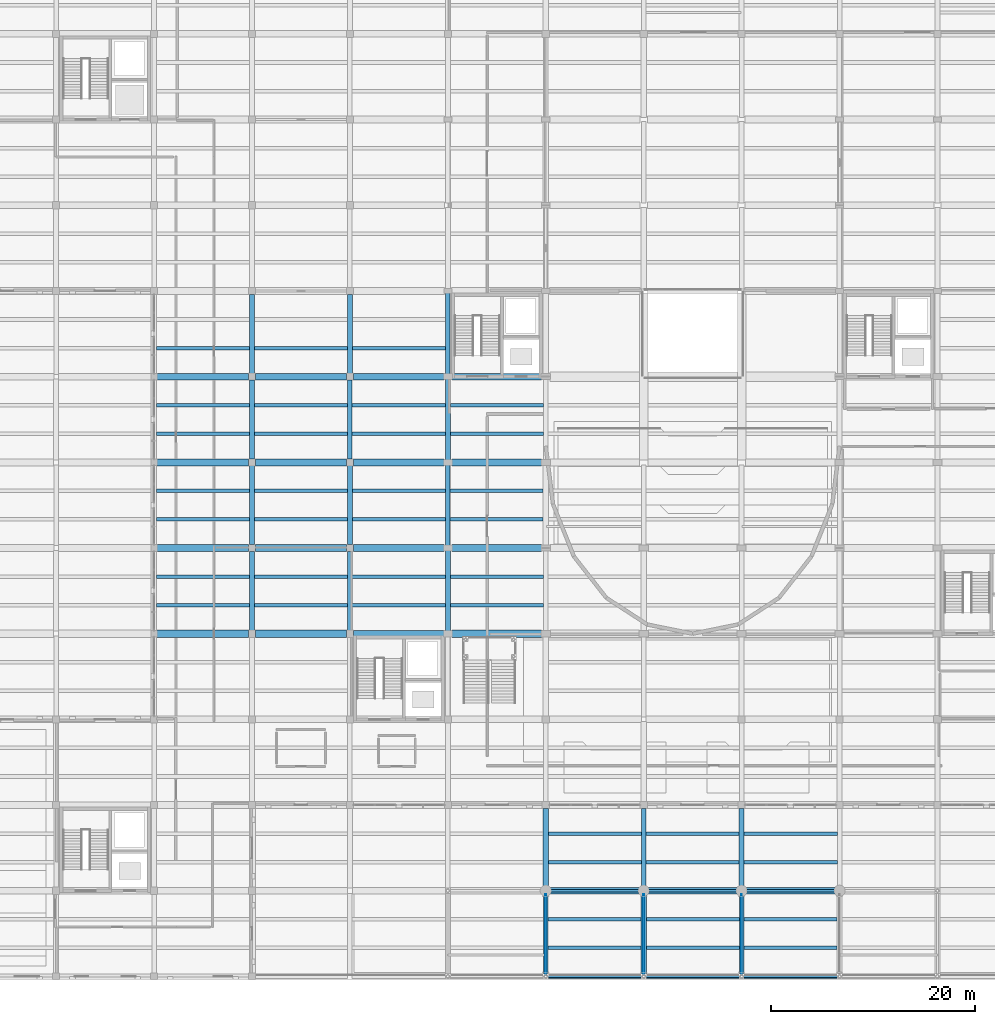
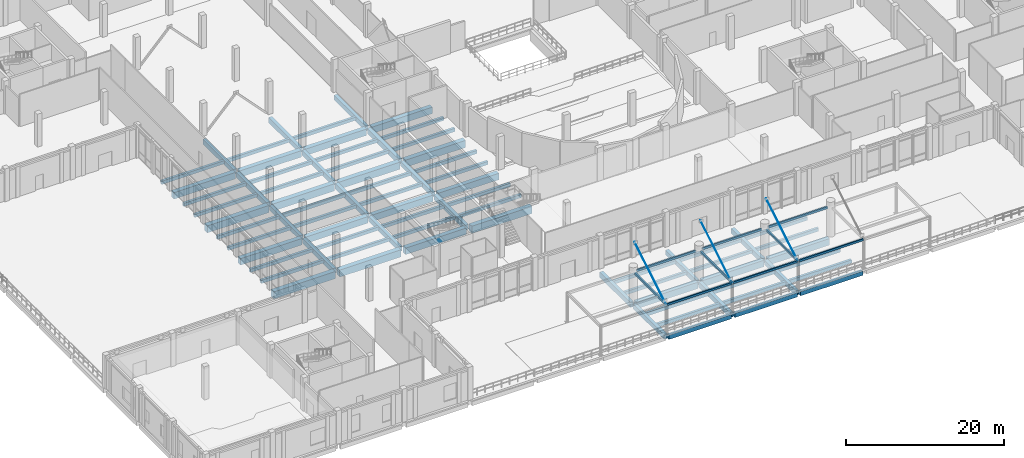
# One storey, part 21 of 71: 88 beams, 3 members.
"""IFC4 building model written with IfcOpenShell, lengths in metres."""

import ifcopenshell
import ifcopenshell.guid

model = None  # the IFC model being written
_history = None  # IfcOwnerHistory: only IFC2X3 demands one
_inside = {}  # id of a spatial element -> (the spatial element, [elements in it])
_under = {}  # id of a project, library or spatial element -> (it, [spatial elements below it])
_declared = {}  # id of a project -> (the project, [libraries it declares])
_typed = {}  # id of a type object -> (the type object, [elements of that type])
_made_of = {}  # id of a material, layer set ... -> (it, [elements and type objects made of it])


def new_model(schema):
    """Start an empty IFC model of exactly this schema.

    Asked for "IFC4X3", IfcOpenShell would pick the latest addendum, in which some entities
    have other attributes; the version numbers below select the first issue.
    IFC2X3 requires an IfcOwnerHistory on every rooted entity: one is made here for all.
    """
    global model, _history
    if schema == "IFC4X3":
        model = ifcopenshell.file(schema_version=(4, 3, 0, 0))
    else:
        model = ifcopenshell.file(schema=schema)
    _inside.clear()
    _under.clear()
    _declared.clear()
    _typed.clear()
    _made_of.clear()
    _history = None
    if model.schema == "IFC2X3":
        org = make("IfcOrganization", Name="unknown")
        user = make(
            "IfcPersonAndOrganization",
            ThePerson=make("IfcPerson", FamilyName="unknown"),
            TheOrganization=org,
        )
        app = make(
            "IfcApplication",
            ApplicationDeveloper=org,
            Version="unknown",
            ApplicationFullName="unknown",
            ApplicationIdentifier="unknown",
        )
        _history = make(
            "IfcOwnerHistory",
            OwningUser=user,
            OwningApplication=app,
            ChangeAction="ADDED",
            CreationDate=0,
        )
    return model


def make(cls, **values):
    """One entity of the class cls with the attributes given. An attribute that is None is left unset."""
    return model.create_entity(
        cls, **{name: value for name, value in values.items() if value is not None}
    )


def rooted(cls, **values):
    """An entity with a GlobalId (a new one), such as an element, a storey or a relation."""
    return make(cls, GlobalId=ifcopenshell.guid.new(), OwnerHistory=_history, **values)


def si_unit(unit_type, name, prefix=None):
    """IfcSIUnit, for example si_unit("LENGTHUNIT", "METRE", prefix="MILLI")."""
    return make("IfcSIUnit", UnitType=unit_type, Prefix=prefix, Name=name)


def assignment(units):
    """IfcUnitAssignment: the units of a project."""
    return None if units is None else make("IfcUnitAssignment", Units=units)


def point(xyz):
    """IfcCartesianPoint."""
    return None if xyz is None else make("IfcCartesianPoint", Coordinates=xyz)


def direction(xyz):
    """IfcDirection."""
    return None if xyz is None else make("IfcDirection", DirectionRatios=xyz)


def frame(location, z_axis=None, x_axis=None):
    """IfcAxis2Placement3D, a coordinate frame: its origin and axes. An axis left out is left unset."""
    return make(
        "IfcAxis2Placement3D",
        Location=point(location),
        Axis=direction(z_axis),
        RefDirection=direction(x_axis),
    )


def frame_2d(location, x_axis=None):
    """IfcAxis2Placement2D, a coordinate frame in the plane: its origin and x axis."""
    return make(
        "IfcAxis2Placement2D", Location=point(location), RefDirection=direction(x_axis)
    )


def origin():
    """The frame at (0, 0, 0) with its axes left unset."""
    return frame((0.0, 0.0, 0.0))


def origin_2d():
    """The frame at (0, 0) in the plane with its x axis left unset."""
    return frame_2d((0.0, 0.0))


def place(relative_to, where):
    """IfcLocalPlacement: puts the frame where relative to a parent placement (None: the world)."""
    return make(
        "IfcLocalPlacement", PlacementRelTo=relative_to, RelativePlacement=where
    )


def context(
    kind, dimensions, precision=None, world=None, true_north=None, identifier=None
):
    """IfcGeometricRepresentationContext, for example the 3D "Model" context."""
    return make(
        "IfcGeometricRepresentationContext",
        ContextIdentifier=identifier,
        ContextType=kind,
        CoordinateSpaceDimension=dimensions,
        Precision=precision,
        WorldCoordinateSystem=world,
        TrueNorth=true_north,
    )


def subcontext(parent, identifier, kind, view, scale=None):
    """IfcGeometricRepresentationSubContext, for example "Body" below "Model"."""
    return make(
        "IfcGeometricRepresentationSubContext",
        ContextIdentifier=identifier,
        ContextType=kind,
        ParentContext=parent,
        TargetScale=scale,
        TargetView=view,
    )


def project(units=None, contexts=None):
    """IfcProject with its units and contexts."""
    return rooted(
        "IfcProject",
        Name="project",
        RepresentationContexts=contexts,
        UnitsInContext=assignment(units),
    )


def spatial(cls, under=None, at=None, **own):
    """A site, building, storey or space (cls), placed at a placement, below another one or the project."""
    s = rooted(cls, ObjectPlacement=at, **own)
    if under is not None:
        _under.setdefault(under.id(), (under, []))[1].append(s)
    return s


def profile(cls, at=None, kind="AREA", **sizes):
    """A parametric profile (cls). Its sizes go by their IFC names, for example OverallWidth=200.0."""
    return make(cls, ProfileType=kind, Position=at, **sizes)


def rectangle(**sizes):
    """IfcRectangleProfileDef."""
    return profile("IfcRectangleProfileDef", **sizes)


def hollow_rectangle(**sizes):
    """IfcRectangleHollowProfileDef."""
    return profile("IfcRectangleHollowProfileDef", **sizes)


def circle(**sizes):
    """IfcCircleProfileDef."""
    return profile("IfcCircleProfileDef", **sizes)


def extrude(swept, where, along, depth):
    """IfcExtrudedAreaSolid: the profile swept, set in the frame where, extruded along a direction by depth."""
    return make(
        "IfcExtrudedAreaSolid",
        SweptArea=swept,
        Position=where,
        ExtrudedDirection=direction(along),
        Depth=depth,
    )


def shape(context_of_items, identifier, shape_type, items):
    """IfcShapeRepresentation: the items that make up one representation, for example the "Body"."""
    return make(
        "IfcShapeRepresentation",
        ContextOfItems=context_of_items,
        RepresentationIdentifier=identifier,
        RepresentationType=shape_type,
        Items=items,
    )


def material(Name=None, Category=None):
    """IfcMaterial."""
    return make("IfcMaterial", Name=Name, Category=Category)


def material_profile(
    of_material, cross_section, Name=None, Category=None, Priority=None
):
    """IfcMaterialProfile: a cross section and its material."""
    return make(
        "IfcMaterialProfile",
        Name=Name,
        Material=of_material,
        Profile=cross_section,
        Priority=Priority,
        Category=Category,
    )


def profile_set(profiles, Name=None, composite=None):
    """IfcMaterialProfileSet."""
    return make(
        "IfcMaterialProfileSet",
        Name=Name,
        MaterialProfiles=profiles,
        CompositeProfile=composite,
    )


def made_of(thing, what):
    """Note that an element or type object is made of a material, layer set ...; save() writes the relation."""
    if what is not None:
        _made_of.setdefault(what.id(), (what, []))[1].append(thing)
    return thing


def type_object(cls, material=None, **own):
    """A type object (cls), such as IfcWallType, which elements share."""
    return made_of(rooted(cls, **own), material)


def element(
    cls,
    number,
    at=None,
    inside=None,
    cuts=None,
    type_object=None,
    material=None,
    context=None,
    identifier="Body",
    shape_type=None,
    held_by="IfcProductDefinitionShape",
    body=None,
    shapes=None,
    **own,
):
    """One element of the class cls, such as IfcWall. Its Tag is "e" and its number.

    at: its placement. inside: the storey or other place that contains it. cuts: it is an
    opening in that element (IfcRelVoidsElement). A single representation is given by context,
    identifier, shape_type and body (its items); several are given by shapes. held_by: the class
    of the entity that holds the representations. save() writes the other relations.
    """
    e = rooted(cls, Tag="e%d" % number, ObjectPlacement=at, **own)
    if body is not None:
        shapes = [shape(context, identifier, shape_type, body)]
    if shapes is not None:
        e.Representation = make(held_by, Representations=shapes)
    if inside is not None:
        _inside.setdefault(inside.id(), (inside, []))[1].append(e)
    if cuts is not None:
        rooted(
            "IfcRelVoidsElement", RelatingBuildingElement=cuts, RelatedOpeningElement=e
        )
    if type_object is not None:
        _typed.setdefault(type_object.id(), (type_object, []))[1].append(e)
    return made_of(e, material)


def aggregate(whole, parts):
    """IfcRelAggregates: a whole, such as a stair, and the parts it consists of."""
    return rooted("IfcRelAggregates", RelatingObject=whole, RelatedObjects=parts)


def save(model, path):
    """Write the relations noted so far, then the file.

    IfcRelAggregates (storeys below a building ...), IfcRelContainedInSpatialStructure (elements
    in a storey), IfcRelDefinesByType, IfcRelAssociatesMaterial and IfcRelDeclares: one each for
    every whole, place, type object, material and project.
    """
    for whole, parts in _under.values():
        aggregate(whole, parts)
    for where, things in _inside.values():
        rooted(
            "IfcRelContainedInSpatialStructure",
            RelatedElements=things,
            RelatingStructure=where,
        )
    for kind, things in _typed.values():
        rooted("IfcRelDefinesByType", RelatedObjects=things, RelatingType=kind)
    for what, things in _made_of.values():
        rooted("IfcRelAssociatesMaterial", RelatedObjects=things, RelatingMaterial=what)
    for by, libraries in _declared.values():
        rooted("IfcRelDeclares", RelatingContext=by, RelatedDefinitions=libraries)
    model.write(path)


model = new_model("IFC4")

# Units and contexts
model_context = context("Model", 3, precision=1e-05, world=origin(), true_north=direction((0.0, 1.0)))
body_context = subcontext(model_context, "Body", "Model", "MODEL_VIEW")
ifc_project = project(units=[si_unit("LENGTHUNIT", "METRE"), si_unit("AREAUNIT", "SQUARE_METRE"), si_unit("VOLUMEUNIT", "CUBIC_METRE"), si_unit("PLANEANGLEUNIT", "RADIAN"), si_unit("MASSUNIT", "GRAM", prefix="KILO")], contexts=[model_context])

# Site, building, storey
site_placement = place(None, origin())
site = spatial("IfcSite", under=ifc_project, at=site_placement, CompositionType="ELEMENT")
building_placement = place(site_placement, origin())
building = spatial("IfcBuilding", under=site, at=building_placement, Name="Lornevale Opera House", CompositionType="ELEMENT")
storey_placement = place(building_placement, origin())
storey = spatial("IfcBuildingStorey", under=building, at=storey_placement, Name="L01", CompositionType="ELEMENT", Elevation=0.0)

# Beams
ifc_material_1 = material(Name="Structural Steel CSA G40.21 Grade 350W (350 MPa)", Category="steel")
ifc_material_profile_1 = material_profile(ifc_material_1, hollow_rectangle(XDim=0.202880859375, YDim=0.304931640625, WallThickness=0.0126953125, at=origin_2d()), Name="HSS305x203x13")
ifc_profile_set_1 = profile_set([ifc_material_profile_1], Name="Structural Steel CSA G40.21 Grade 350W (350 MPa)")
beam_type_1 = type_object("IfcBeamType", Name="Canopy Edge Beam HSS305x203x13", PredefinedType="SPANDREL", material=ifc_profile_set_1)
beam_1_placement = place(storey_placement, frame((67.199951171875, 0.10009765625, 4.43994140625), z_axis=(0.0, 1.0, 0.0), x_axis=(-1.0, 0.0, 0.0)))
element("IfcBeam", 1, at=beam_1_placement, inside=storey, type_object=beam_type_1, Name="Canopy Edge Beam HSS305x203x13 2942", PredefinedType="SPANDREL", context=body_context, shape_type="SweptSolid", body=[
    extrude(hollow_rectangle(XDim=0.202880859375, YDim=0.304931640625, WallThickness=0.0126953125, at=origin_2d()), origin(), (0.0, 0.0, 1.0), 7.849853515625),
])
beam_2_placement = place(storey_placement, frame((67.320068359375, 0.0, 4.43994140625), z_axis=(1.0, 0.0, 0.0), x_axis=(0.0, 1.0, 0.0)))
element("IfcBeam", 2, at=beam_2_placement, inside=storey, type_object=beam_type_1, Name="Canopy Edge Beam HSS305x203x13 2943", PredefinedType="SPANDREL", context=body_context, shape_type="SweptSolid", body=[
    extrude(hollow_rectangle(XDim=0.202880859375, YDim=0.304931640625, WallThickness=0.0126953125, at=origin_2d()), origin(), (0.0, 0.0, 1.0), 9.35986328125),
])
beam_3_placement = place(storey_placement, frame((67.64990234375, 8.39990234375, 4.43994140625), z_axis=(1.0, 0.0, 0.0), x_axis=(0.0, 1.0, 0.0)))
element("IfcBeam", 3, at=beam_3_placement, inside=storey, type_object=beam_type_1, Name="Canopy Edge Beam HSS305x203x13 2944", PredefinedType="SPANDREL", context=body_context, shape_type="SweptSolid", body=[
    extrude(hollow_rectangle(XDim=0.202880859375, YDim=0.304931640625, WallThickness=0.0126953125, at=origin_2d()), origin(), (0.0, 0.0, 1.0), 8.7001953125),
])
beam_4_placement = place(storey_placement, frame((76.800048828125, 0.10009765625, 4.43994140625), z_axis=(0.0, 1.0, 0.0), x_axis=(-1.0, 0.0, 0.0)))
element("IfcBeam", 4, at=beam_4_placement, inside=storey, type_object=beam_type_1, Name="Canopy Edge Beam HSS305x203x13 2945", PredefinedType="SPANDREL", context=body_context, shape_type="SweptSolid", body=[
    extrude(hollow_rectangle(XDim=0.202880859375, YDim=0.304931640625, WallThickness=0.0126953125, at=origin_2d()), origin(), (0.0, 0.0, 1.0), 7.849853515625),
])
beam_5_placement = place(storey_placement, frame((76.919921875, 0.0, 4.43994140625), z_axis=(1.0, 0.0, 0.0), x_axis=(0.0, 1.0, 0.0)))
element("IfcBeam", 5, at=beam_5_placement, inside=storey, type_object=beam_type_1, Name="Canopy Edge Beam HSS305x203x13 2946", PredefinedType="SPANDREL", context=body_context, shape_type="SweptSolid", body=[
    extrude(hollow_rectangle(XDim=0.202880859375, YDim=0.304931640625, WallThickness=0.0126953125, at=origin_2d()), origin(), (0.0, 0.0, 1.0), 9.360107421875),
])
beam_6_placement = place(storey_placement, frame((77.25, 8.39990234375, 4.43994140625), z_axis=(1.0, 0.0, 0.0), x_axis=(0.0, 1.0, 0.0)))
element("IfcBeam", 6, at=beam_6_placement, inside=storey, type_object=beam_type_1, Name="Canopy Edge Beam HSS305x203x13 2947", PredefinedType="SPANDREL", context=body_context, shape_type="SweptSolid", body=[
    extrude(hollow_rectangle(XDim=0.202880859375, YDim=0.304931640625, WallThickness=0.0126953125, at=origin_2d()), origin(), (0.0, 0.0, 1.0), 8.699951171875),
])
beam_7_placement = place(storey_placement, frame((86.39990234375, 0.10009765625, 4.43994140625), z_axis=(0.0, 1.0, 0.0), x_axis=(-1.0, 0.0, 0.0)))
element("IfcBeam", 7, at=beam_7_placement, inside=storey, type_object=beam_type_1, Name="Canopy Edge Beam HSS305x203x13 2948", PredefinedType="SPANDREL", context=body_context, shape_type="SweptSolid", body=[
    extrude(hollow_rectangle(XDim=0.202880859375, YDim=0.304931640625, WallThickness=0.0126953125, at=origin_2d()), origin(), (0.0, 0.0, 1.0), 7.849853515625),
])
beam_8_placement = place(storey_placement, frame((86.52001953125, 0.0, 4.43994140625), z_axis=(1.0, 0.0, 0.0), x_axis=(0.0, 1.0, 0.0)))
element("IfcBeam", 8, at=beam_8_placement, inside=storey, type_object=beam_type_1, Name="Canopy Edge Beam HSS305x203x13 2949", PredefinedType="SPANDREL", context=body_context, shape_type="SweptSolid", body=[
    extrude(hollow_rectangle(XDim=0.202880859375, YDim=0.304931640625, WallThickness=0.0126953125, at=origin_2d()), origin(), (0.0, 0.0, 1.0), 9.35986328125),
])
beam_9_placement = place(storey_placement, frame((86.85009765625, 8.39990234375, 4.43994140625), z_axis=(1.0, 0.0, 0.0), x_axis=(0.0, 1.0, 0.0)))
element("IfcBeam", 9, at=beam_9_placement, inside=storey, type_object=beam_type_1, Name="Canopy Edge Beam HSS305x203x13 2950", PredefinedType="SPANDREL", context=body_context, shape_type="SweptSolid", body=[
    extrude(hollow_rectangle(XDim=0.202880859375, YDim=0.304931640625, WallThickness=0.0126953125, at=origin_2d()), origin(), (0.0, 0.0, 1.0), 8.699951171875),
])

# Members
ifc_material_profile_2 = material_profile(ifc_material_1, circle(Radius=0.031982421875, at=origin_2d()), Name="ROD64")
ifc_profile_set_2 = profile_set([ifc_material_profile_2], Name="Structural Steel CSA G40.21 Grade 350W (350 MPa)")
member_type = type_object("IfcMemberType", Name="Canopy Stay Rod D64", PredefinedType="BRACE", material=ifc_profile_set_2)
for number, where, z_axis, x_axis, name in (
    (10, (67.199951171875, 0.1201171875, 4.4599609375), (0.0, 0.858349807797, 0.513064915439), (-1.0, 0.0, 0.0), "Canopy Stay Rod D64 0001"),
    (11, (76.800048828125, 0.1201171875, 4.4599609375), (0.0, 0.858349807797, 0.513064915439), (-1.0, 0.0, 0.0), "Canopy Stay Rod D64 0002"),
    (12, (86.39990234375, 0.1201171875, 4.4599609375), (0.0, 0.858349807797, 0.513064915439), (-1.0, 0.0, 0.0), "Canopy Stay Rod D64 0003"),
):
    element("IfcMember", number, at=place(storey_placement, frame(where, z_axis=z_axis, x_axis=x_axis)), inside=storey, type_object=member_type, Name=name, PredefinedType="BRACE", context=body_context, shape_type="SweptSolid", body=[
        extrude(circle(Radius=0.031982421875, at=origin_2d()), origin(), (0.0, 0.0, 1.0), 9.238525390625),
    ])

# Beams
ifc_material_2 = material(Name="Concrete 35 MPa (CSA A23.1 N)", Category="concrete")
ifc_material_profile_3 = material_profile(ifc_material_2, rectangle(XDim=0.449951171875, YDim=0.75, at=origin_2d()), Name="RC450x750")
ifc_profile_set_3 = profile_set([ifc_material_profile_3], Name="Concrete 35 MPa (CSA A23.1 N)")
beam_type_2 = type_object("IfcBeamType", Name="Concrete Floor Beam 450x750", PredefinedType="USERDEFINED", material=ifc_profile_set_3)
for number, where, z_axis, x_axis, name in (
    (13, (38.39990234375, 42.324951171875, -0.81494140625), (0.0, 1.0, 0.0), (-1.0, 0.0, 0.0), "Concrete Floor Beam 450x750 1122"),
    (14, (38.39990234375, 59.125, -0.81494140625), (0.0, 1.0, 0.0), (-1.0, 0.0, 0.0), "Concrete Floor Beam 450x750 1124"),
    (15, (48.0, 33.925048828125, -0.81494140625), (0.0, 1.0, 0.0), (-1.0, 0.0, 0.0), "Concrete Floor Beam 450x750 1135"),
    (16, (48.0, 50.72509765625, -0.81494140625), (0.0, 1.0, 0.0), (-1.0, 0.0, 0.0), "Concrete Floor Beam 450x750 1137"),
):
    element("IfcBeam", number, at=place(storey_placement, frame(where, z_axis=z_axis, x_axis=x_axis)), inside=storey, type_object=beam_type_2, Name=name, ObjectType="GIRDER", PredefinedType="USERDEFINED", context=body_context, shape_type="SweptSolid", body=[
        extrude(rectangle(XDim=0.449951171875, YDim=0.75, at=origin_2d()), origin(), (0.0, 0.0, 1.0), 7.75),
    ])
beam_10_placement = place(storey_placement, frame((57.60009765625, 42.25, -0.81494140625), z_axis=(0.0, 1.0, 0.0), x_axis=(-1.0, 0.0, 0.0)))
element("IfcBeam", 17, at=beam_10_placement, inside=storey, type_object=beam_type_2, Name="Concrete Floor Beam 450x750 1150", ObjectType="GIRDER", PredefinedType="USERDEFINED", context=body_context, shape_type="SweptSolid", body=[
    extrude(rectangle(XDim=0.449951171875, YDim=0.75, at=origin_2d()), origin(), (0.0, 0.0, 1.0), 7.89990234375),
])
beam_11_placement = place(storey_placement, frame((57.60009765625, 59.050048828125, -0.81494140625), z_axis=(0.0, 1.0, 0.0), x_axis=(-1.0, 0.0, 0.0)))
element("IfcBeam", 18, at=beam_11_placement, inside=storey, type_object=beam_type_2, Name="Concrete Floor Beam 450x750 1152", ObjectType="GIRDER", PredefinedType="USERDEFINED", context=body_context, shape_type="SweptSolid", body=[
    extrude(rectangle(XDim=0.449951171875, YDim=0.75, at=origin_2d()), origin(), (0.0, 0.0, 1.0), 7.949951171875),
])
beam_12_placement = place(storey_placement, frame((67.199951171875, 0.22509765625, -0.625), z_axis=(0.0, 1.0, 0.0), x_axis=(-1.0, 0.0, 0.0)))
element("IfcBeam", 19, at=beam_12_placement, inside=storey, type_object=beam_type_2, Name="Concrete Floor Beam 450x750 1159", ObjectType="GIRDER", PredefinedType="USERDEFINED", context=body_context, shape_type="SweptSolid", body=[
    extrude(rectangle(XDim=0.449951171875, YDim=0.75, at=origin_2d()), origin(), (0.0, 0.0, 1.0), 7.849853515625),
])
beam_13_placement = place(storey_placement, frame((76.800048828125, 8.72509765625, -0.81494140625), z_axis=(0.0, 1.0, 0.0), x_axis=(-1.0, 0.0, 0.0)))
element("IfcBeam", 20, at=beam_13_placement, inside=storey, type_object=beam_type_2, Name="Concrete Floor Beam 450x750 1174", ObjectType="GIRDER", PredefinedType="USERDEFINED", context=body_context, shape_type="SweptSolid", body=[
    extrude(rectangle(XDim=0.449951171875, YDim=0.75, at=origin_2d()), origin(), (0.0, 0.0, 1.0), 7.75),
])
beam_14_placement = place(storey_placement, frame((86.39990234375, 0.22509765625, -0.625), z_axis=(0.0, 1.0, 0.0), x_axis=(-1.0, 0.0, 0.0)))
element("IfcBeam", 21, at=beam_14_placement, inside=storey, type_object=beam_type_2, Name="Concrete Floor Beam 450x750 1186", ObjectType="GIRDER", PredefinedType="USERDEFINED", context=body_context, shape_type="SweptSolid", body=[
    extrude(rectangle(XDim=0.449951171875, YDim=0.75, at=origin_2d()), origin(), (0.0, 0.0, 1.0), 7.849853515625),
])
ifc_material_profile_4 = material_profile(ifc_material_2, rectangle(XDim=0.5, YDim=0.800048828125, at=origin_2d()), Name="RC500x800")
ifc_profile_set_4 = profile_set([ifc_material_profile_4], Name="Concrete 35 MPa (CSA A23.1 N)")
beam_type_3 = type_object("IfcBeamType", Name="Concrete Floor Beam 500x800", PredefinedType="USERDEFINED", material=ifc_profile_set_4)
for number, where, z_axis, x_axis, name in (
    (22, (38.39990234375, 33.925048828125, -0.840087890625), (0.0, 1.0, 0.0), (-1.0, 0.0, 0.0), "Concrete Floor Beam 500x800 1121"),
    (23, (38.39990234375, 50.72509765625, -0.840087890625), (0.0, 1.0, 0.0), (-1.0, 0.0, 0.0), "Concrete Floor Beam 500x800 1123"),
    (24, (48.0, 42.324951171875, -0.840087890625), (0.0, 1.0, 0.0), (-1.0, 0.0, 0.0), "Concrete Floor Beam 500x800 1136"),
    (25, (48.0, 59.125, -0.840087890625), (0.0, 1.0, 0.0), (-1.0, 0.0, 0.0), "Concrete Floor Beam 500x800 1138"),
):
    element("IfcBeam", number, at=place(storey_placement, frame(where, z_axis=z_axis, x_axis=x_axis)), inside=storey, type_object=beam_type_3, Name=name, ObjectType="GIRDER", PredefinedType="USERDEFINED", context=body_context, shape_type="SweptSolid", body=[
        extrude(rectangle(XDim=0.5, YDim=0.800048828125, at=origin_2d()), origin(), (0.0, 0.0, 1.0), 7.75),
    ])
beam_15_placement = place(storey_placement, frame((57.60009765625, 33.85009765625, -0.840087890625), z_axis=(0.0, 1.0, 0.0), x_axis=(-1.0, 0.0, 0.0)))
element("IfcBeam", 26, at=beam_15_placement, inside=storey, type_object=beam_type_3, Name="Concrete Floor Beam 500x800 1149", ObjectType="GIRDER", PredefinedType="USERDEFINED", context=body_context, shape_type="SweptSolid", body=[
    extrude(rectangle(XDim=0.5, YDim=0.800048828125, at=origin_2d()), origin(), (0.0, 0.0, 1.0), 7.89990234375),
])
beam_16_placement = place(storey_placement, frame((57.60009765625, 50.64990234375, -0.840087890625), z_axis=(0.0, 1.0, 0.0), x_axis=(-1.0, 0.0, 0.0)))
element("IfcBeam", 27, at=beam_16_placement, inside=storey, type_object=beam_type_3, Name="Concrete Floor Beam 500x800 1151", ObjectType="GIRDER", PredefinedType="USERDEFINED", context=body_context, shape_type="SweptSolid", body=[
    extrude(rectangle(XDim=0.5, YDim=0.800048828125, at=origin_2d()), origin(), (0.0, 0.0, 1.0), 7.900146484375),
])
beam_17_placement = place(storey_placement, frame((67.199951171875, 8.72509765625, -0.840087890625), z_axis=(0.0, 1.0, 0.0), x_axis=(-1.0, 0.0, 0.0)))
element("IfcBeam", 28, at=beam_17_placement, inside=storey, type_object=beam_type_3, Name="Concrete Floor Beam 500x800 1160", ObjectType="GIRDER", PredefinedType="USERDEFINED", context=body_context, shape_type="SweptSolid", body=[
    extrude(rectangle(XDim=0.5, YDim=0.800048828125, at=origin_2d()), origin(), (0.0, 0.0, 1.0), 7.75),
])
beam_18_placement = place(storey_placement, frame((76.800048828125, 0.25, -0.64990234375), z_axis=(0.0, 1.0, 0.0), x_axis=(-1.0, 0.0, 0.0)))
element("IfcBeam", 29, at=beam_18_placement, inside=storey, type_object=beam_type_3, Name="Concrete Floor Beam 500x800 1173", ObjectType="GIRDER", PredefinedType="USERDEFINED", context=body_context, shape_type="SweptSolid", body=[
    extrude(rectangle(XDim=0.5, YDim=0.800048828125, at=origin_2d()), origin(), (0.0, 0.0, 1.0), 7.824951171875),
])
beam_19_placement = place(storey_placement, frame((86.39990234375, 8.72509765625, -0.840087890625), z_axis=(0.0, 1.0, 0.0), x_axis=(-1.0, 0.0, 0.0)))
element("IfcBeam", 30, at=beam_19_placement, inside=storey, type_object=beam_type_3, Name="Concrete Floor Beam 500x800 1187", ObjectType="GIRDER", PredefinedType="USERDEFINED", context=body_context, shape_type="SweptSolid", body=[
    extrude(rectangle(XDim=0.5, YDim=0.800048828125, at=origin_2d()), origin(), (0.0, 0.0, 1.0), 7.75),
])
ifc_material_3 = material(Name="Concrete 40 MPa (CSA A23.1 C-1)", Category="concrete")
ifc_material_profile_5 = material_profile(ifc_material_3, rectangle(XDim=0.64990234375, YDim=1.0, at=origin_2d()), Name="RC650x1000")
ifc_profile_set_5 = profile_set([ifc_material_profile_5], Name="Concrete 40 MPa (CSA A23.1 C-1)")
beam_type_4 = type_object("IfcBeamType", Name="Concrete Primary Girder 650x1000", PredefinedType="USERDEFINED", material=ifc_profile_set_5)
beam_20_placement = place(storey_placement, frame((67.52490234375, 8.39990234375, -0.75), z_axis=(1.0, 0.0, 0.0), x_axis=(0.0, 1.0, 0.0)))
element("IfcBeam", 31, at=beam_20_placement, inside=storey, type_object=beam_type_4, Name="Concrete Primary Girder 650x1000 0863", ObjectType="GIRDER", PredefinedType="USERDEFINED", context=body_context, shape_type="SweptSolid", body=[
    extrude(rectangle(XDim=0.64990234375, YDim=1.0, at=origin_2d()), origin(), (0.0, 0.0, 1.0), 8.9501953125),
])
for number, where, z_axis, x_axis, name in (
    (32, (77.125, 8.39990234375, -0.75), (1.0, 0.0, 0.0), (0.0, 1.0, 0.0), "Concrete Primary Girder 650x1000 0864"),
    (33, (86.72509765625, 8.39990234375, -0.75), (1.0, 0.0, 0.0), (0.0, 1.0, 0.0), "Concrete Primary Girder 650x1000 0865"),
):
    element("IfcBeam", number, at=place(storey_placement, frame(where, z_axis=z_axis, x_axis=x_axis)), inside=storey, type_object=beam_type_4, Name=name, ObjectType="GIRDER", PredefinedType="USERDEFINED", context=body_context, shape_type="SweptSolid", body=[
        extrude(rectangle(XDim=0.64990234375, YDim=1.0, at=origin_2d()), origin(), (0.0, 0.0, 1.0), 8.949951171875),
    ])
beam_21_placement = place(storey_placement, frame((48.324951171875, 33.60009765625, -0.93994140625), z_axis=(1.0, 0.0, 0.0), x_axis=(0.0, 1.0, 0.0)))
element("IfcBeam", 34, at=beam_21_placement, inside=storey, type_object=beam_type_4, Name="Concrete Primary Girder 650x1000 0912", ObjectType="GIRDER", PredefinedType="USERDEFINED", context=body_context, shape_type="SweptSolid", body=[
    extrude(rectangle(XDim=0.64990234375, YDim=1.0, at=origin_2d()), origin(), (0.0, 0.0, 1.0), 8.875),
])
beam_22_placement = place(storey_placement, frame((29.10009765625, 42.0, -0.93994140625), z_axis=(1.0, 0.0, 0.0), x_axis=(0.0, 1.0, 0.0)))
element("IfcBeam", 35, at=beam_22_placement, inside=storey, type_object=beam_type_4, Name="Concrete Primary Girder 650x1000 0928", ObjectType="GIRDER", PredefinedType="USERDEFINED", context=body_context, shape_type="SweptSolid", body=[
    extrude(rectangle(XDim=0.64990234375, YDim=1.0, at=origin_2d()), origin(), (0.0, 0.0, 1.0), 8.974853515625),
])
beam_23_placement = place(storey_placement, frame((38.72509765625, 42.0, -0.93994140625), z_axis=(1.0, 0.0, 0.0), x_axis=(0.0, 1.0, 0.0)))
element("IfcBeam", 36, at=beam_23_placement, inside=storey, type_object=beam_type_4, Name="Concrete Primary Girder 650x1000 0929", ObjectType="GIRDER", PredefinedType="USERDEFINED", context=body_context, shape_type="SweptSolid", body=[
    extrude(rectangle(XDim=0.64990234375, YDim=1.0, at=origin_2d()), origin(), (0.0, 0.0, 1.0), 8.949951171875),
])
beam_24_placement = place(storey_placement, frame((48.324951171875, 42.0, -0.93994140625), z_axis=(1.0, 0.0, 0.0), x_axis=(0.0, 1.0, 0.0)))
element("IfcBeam", 37, at=beam_24_placement, inside=storey, type_object=beam_type_4, Name="Concrete Primary Girder 650x1000 0930", ObjectType="GIRDER", PredefinedType="USERDEFINED", context=body_context, shape_type="SweptSolid", body=[
    extrude(rectangle(XDim=0.64990234375, YDim=1.0, at=origin_2d()), origin(), (0.0, 0.0, 1.0), 8.875),
])
beam_25_placement = place(storey_placement, frame((58.0, 42.0, -0.93994140625), z_axis=(1.0, 0.0, 0.0), x_axis=(0.0, 1.0, 0.0)))
element("IfcBeam", 38, at=beam_25_placement, inside=storey, type_object=beam_type_4, Name="Concrete Primary Girder 650x1000 0931", ObjectType="GIRDER", PredefinedType="USERDEFINED", context=body_context, shape_type="SweptSolid", body=[
    extrude(rectangle(XDim=0.64990234375, YDim=1.0, at=origin_2d()), origin(), (0.0, 0.0, 1.0), 8.800048828125),
])
beam_26_placement = place(storey_placement, frame((29.10009765625, 58.800048828125, -0.93994140625), z_axis=(1.0, 0.0, 0.0), x_axis=(0.0, 1.0, 0.0)))
element("IfcBeam", 39, at=beam_26_placement, inside=storey, type_object=beam_type_4, Name="Concrete Primary Girder 650x1000 0962", ObjectType="GIRDER", PredefinedType="USERDEFINED", context=body_context, shape_type="SweptSolid", body=[
    extrude(rectangle(XDim=0.64990234375, YDim=1.0, at=origin_2d()), origin(), (0.0, 0.0, 1.0), 8.974853515625),
])
beam_27_placement = place(storey_placement, frame((38.72509765625, 58.800048828125, -0.93994140625), z_axis=(1.0, 0.0, 0.0), x_axis=(0.0, 1.0, 0.0)))
element("IfcBeam", 40, at=beam_27_placement, inside=storey, type_object=beam_type_4, Name="Concrete Primary Girder 650x1000 0963", ObjectType="GIRDER", PredefinedType="USERDEFINED", context=body_context, shape_type="SweptSolid", body=[
    extrude(rectangle(XDim=0.64990234375, YDim=1.0, at=origin_2d()), origin(), (0.0, 0.0, 1.0), 8.949951171875),
])
beam_28_placement = place(storey_placement, frame((48.324951171875, 58.800048828125, -0.93994140625), z_axis=(1.0, 0.0, 0.0), x_axis=(0.0, 1.0, 0.0)))
element("IfcBeam", 41, at=beam_28_placement, inside=storey, type_object=beam_type_4, Name="Concrete Primary Girder 650x1000 0964", ObjectType="GIRDER", PredefinedType="USERDEFINED", context=body_context, shape_type="SweptSolid", body=[
    extrude(rectangle(XDim=0.64990234375, YDim=1.0, at=origin_2d()), origin(), (0.0, 0.0, 1.0), 8.875),
])
beam_29_placement = place(storey_placement, frame((58.0, 58.800048828125, -0.93994140625), z_axis=(1.0, 0.0, 0.0), x_axis=(0.0, 1.0, 0.0)))
element("IfcBeam", 42, at=beam_29_placement, inside=storey, type_object=beam_type_4, Name="Concrete Primary Girder 650x1000 0965", ObjectType="GIRDER", PredefinedType="USERDEFINED", context=body_context, shape_type="SweptSolid", body=[
    extrude(rectangle(XDim=0.64990234375, YDim=1.0, at=origin_2d()), origin(), (0.0, 0.0, 1.0), 8.800048828125),
])
ifc_material_profile_6 = material_profile(ifc_material_3, rectangle(XDim=0.699951171875, YDim=1.10009765625, at=origin_2d()), Name="RC700x1100")
ifc_profile_set_6 = profile_set([ifc_material_profile_6], Name="Concrete 40 MPa (CSA A23.1 C-1)")
beam_type_5 = type_object("IfcBeamType", Name="Concrete Primary Girder 700x1100", PredefinedType="USERDEFINED", material=ifc_profile_set_6)
beam_30_placement = place(storey_placement, frame((29.10009765625, 33.60009765625, -0.989990234375), z_axis=(1.0, 0.0, 0.0), x_axis=(0.0, 1.0, 0.0)))
element("IfcBeam", 43, at=beam_30_placement, inside=storey, type_object=beam_type_5, Name="Concrete Primary Girder 700x1100 0910", ObjectType="GIRDER", PredefinedType="USERDEFINED", context=body_context, shape_type="SweptSolid", body=[
    extrude(rectangle(XDim=0.699951171875, YDim=1.10009765625, at=origin_2d()), origin(), (0.0, 0.0, 1.0), 8.974853515625),
])
beam_31_placement = place(storey_placement, frame((38.72509765625, 33.60009765625, -0.989990234375), z_axis=(1.0, 0.0, 0.0), x_axis=(0.0, 1.0, 0.0)))
element("IfcBeam", 44, at=beam_31_placement, inside=storey, type_object=beam_type_5, Name="Concrete Primary Girder 700x1100 0911", ObjectType="GIRDER", PredefinedType="USERDEFINED", context=body_context, shape_type="SweptSolid", body=[
    extrude(rectangle(XDim=0.699951171875, YDim=1.10009765625, at=origin_2d()), origin(), (0.0, 0.0, 1.0), 8.949951171875),
])
beam_32_placement = place(storey_placement, frame((58.0, 33.60009765625, -0.989990234375), z_axis=(1.0, 0.0, 0.0), x_axis=(0.0, 1.0, 0.0)))
element("IfcBeam", 45, at=beam_32_placement, inside=storey, type_object=beam_type_5, Name="Concrete Primary Girder 700x1100 0913", ObjectType="GIRDER", PredefinedType="USERDEFINED", context=body_context, shape_type="SweptSolid", body=[
    extrude(rectangle(XDim=0.699951171875, YDim=1.10009765625, at=origin_2d()), origin(), (0.0, 0.0, 1.0), 8.800048828125),
])
beam_33_placement = place(storey_placement, frame((29.10009765625, 50.39990234375, -0.989990234375), z_axis=(1.0, 0.0, 0.0), x_axis=(0.0, 1.0, 0.0)))
element("IfcBeam", 46, at=beam_33_placement, inside=storey, type_object=beam_type_5, Name="Concrete Primary Girder 700x1100 0945", ObjectType="GIRDER", PredefinedType="USERDEFINED", context=body_context, shape_type="SweptSolid", body=[
    extrude(rectangle(XDim=0.699951171875, YDim=1.10009765625, at=origin_2d()), origin(), (0.0, 0.0, 1.0), 8.974853515625),
])
beam_34_placement = place(storey_placement, frame((38.72509765625, 50.39990234375, -0.989990234375), z_axis=(1.0, 0.0, 0.0), x_axis=(0.0, 1.0, 0.0)))
element("IfcBeam", 47, at=beam_34_placement, inside=storey, type_object=beam_type_5, Name="Concrete Primary Girder 700x1100 0946", ObjectType="GIRDER", PredefinedType="USERDEFINED", context=body_context, shape_type="SweptSolid", body=[
    extrude(rectangle(XDim=0.699951171875, YDim=1.10009765625, at=origin_2d()), origin(), (0.0, 0.0, 1.0), 8.949951171875),
])
beam_35_placement = place(storey_placement, frame((48.324951171875, 50.39990234375, -0.989990234375), z_axis=(1.0, 0.0, 0.0), x_axis=(0.0, 1.0, 0.0)))
element("IfcBeam", 48, at=beam_35_placement, inside=storey, type_object=beam_type_5, Name="Concrete Primary Girder 700x1100 0947", ObjectType="GIRDER", PredefinedType="USERDEFINED", context=body_context, shape_type="SweptSolid", body=[
    extrude(rectangle(XDim=0.699951171875, YDim=1.10009765625, at=origin_2d()), origin(), (0.0, 0.0, 1.0), 8.875),
])
beam_36_placement = place(storey_placement, frame((58.0, 50.39990234375, -0.989990234375), z_axis=(1.0, 0.0, 0.0), x_axis=(0.0, 1.0, 0.0)))
element("IfcBeam", 49, at=beam_36_placement, inside=storey, type_object=beam_type_5, Name="Concrete Primary Girder 700x1100 0948", ObjectType="GIRDER", PredefinedType="USERDEFINED", context=body_context, shape_type="SweptSolid", body=[
    extrude(rectangle(XDim=0.699951171875, YDim=1.10009765625, at=origin_2d()), origin(), (0.0, 0.0, 1.0), 8.800048828125),
])
ifc_material_profile_7 = material_profile(ifc_material_2, rectangle(XDim=0.35009765625, YDim=0.5, at=origin_2d()), Name="RC350x500")
ifc_profile_set_7 = profile_set([ifc_material_profile_7], Name="Concrete 35 MPa (CSA A23.1 N)")
beam_type_6 = type_object("IfcBeamType", Name="Concrete Secondary Rib 350x500", PredefinedType="JOIST", material=ifc_profile_set_7)
for number, where, z_axis, x_axis, name in (
    (50, (29.02490234375, 36.39990234375, -0.68994140625), (1.0, 0.0, 0.0), (0.0, 1.0, 0.0), "Concrete Secondary Rib 350x500 1367"),
    (51, (29.02490234375, 39.199951171875, -0.68994140625), (1.0, 0.0, 0.0), (0.0, 1.0, 0.0), "Concrete Secondary Rib 350x500 1368"),
    (52, (29.050048828125, 44.800048828125, -0.68994140625), (1.0, 0.0, 0.0), (0.0, 1.0, 0.0), "Concrete Secondary Rib 350x500 1369"),
    (53, (29.050048828125, 47.60009765625, -0.68994140625), (1.0, 0.0, 0.0), (0.0, 1.0, 0.0), "Concrete Secondary Rib 350x500 1370"),
    (54, (29.02490234375, 53.199951171875, -0.68994140625), (1.0, 0.0, 0.0), (0.0, 1.0, 0.0), "Concrete Secondary Rib 350x500 1371"),
    (55, (29.02490234375, 56.0, -0.68994140625), (1.0, 0.0, 0.0), (0.0, 1.0, 0.0), "Concrete Secondary Rib 350x500 1372"),
    (56, (29.050048828125, 61.60009765625, -0.68994140625), (1.0, 0.0, 0.0), (0.0, 1.0, 0.0), "Concrete Secondary Rib 350x500 1373"),
    (57, (38.64990234375, 36.39990234375, -0.68994140625), (1.0, 0.0, 0.0), (0.0, 1.0, 0.0), "Concrete Secondary Rib 350x500 1391"),
    (58, (38.64990234375, 39.199951171875, -0.68994140625), (1.0, 0.0, 0.0), (0.0, 1.0, 0.0), "Concrete Secondary Rib 350x500 1392"),
    (59, (38.625, 44.800048828125, -0.68994140625), (1.0, 0.0, 0.0), (0.0, 1.0, 0.0), "Concrete Secondary Rib 350x500 1393"),
    (60, (38.625, 47.60009765625, -0.68994140625), (1.0, 0.0, 0.0), (0.0, 1.0, 0.0), "Concrete Secondary Rib 350x500 1394"),
    (61, (38.64990234375, 53.199951171875, -0.68994140625), (1.0, 0.0, 0.0), (0.0, 1.0, 0.0), "Concrete Secondary Rib 350x500 1395"),
    (62, (38.64990234375, 56.0, -0.68994140625), (1.0, 0.0, 0.0), (0.0, 1.0, 0.0), "Concrete Secondary Rib 350x500 1396"),
    (63, (38.625, 61.60009765625, -0.68994140625), (1.0, 0.0, 0.0), (0.0, 1.0, 0.0), "Concrete Secondary Rib 350x500 1397"),
    (64, (48.22509765625, 36.39990234375, -0.68994140625), (1.0, 0.0, 0.0), (0.0, 1.0, 0.0), "Concrete Secondary Rib 350x500 1417"),
    (65, (48.22509765625, 39.199951171875, -0.68994140625), (1.0, 0.0, 0.0), (0.0, 1.0, 0.0), "Concrete Secondary Rib 350x500 1418"),
    (66, (48.25, 44.800048828125, -0.68994140625), (1.0, 0.0, 0.0), (0.0, 1.0, 0.0), "Concrete Secondary Rib 350x500 1419"),
    (67, (48.25, 47.60009765625, -0.68994140625), (1.0, 0.0, 0.0), (0.0, 1.0, 0.0), "Concrete Secondary Rib 350x500 1420"),
    (68, (48.22509765625, 53.199951171875, -0.68994140625), (1.0, 0.0, 0.0), (0.0, 1.0, 0.0), "Concrete Secondary Rib 350x500 1421"),
    (69, (48.22509765625, 56.0, -0.68994140625), (1.0, 0.0, 0.0), (0.0, 1.0, 0.0), "Concrete Secondary Rib 350x500 1422"),
    (70, (48.25, 61.60009765625, -0.68994140625), (1.0, 0.0, 0.0), (0.0, 1.0, 0.0), "Concrete Secondary Rib 350x500 1423"),
    (71, (57.85009765625, 36.39990234375, -0.68994140625), (1.0, 0.0, 0.0), (0.0, 1.0, 0.0), "Concrete Secondary Rib 350x500 1443"),
    (72, (57.85009765625, 39.199951171875, -0.68994140625), (1.0, 0.0, 0.0), (0.0, 1.0, 0.0), "Concrete Secondary Rib 350x500 1444"),
    (73, (57.824951171875, 44.800048828125, -0.68994140625), (1.0, 0.0, 0.0), (0.0, 1.0, 0.0), "Concrete Secondary Rib 350x500 1445"),
    (74, (57.824951171875, 47.60009765625, -0.68994140625), (1.0, 0.0, 0.0), (0.0, 1.0, 0.0), "Concrete Secondary Rib 350x500 1446"),
    (75, (57.85009765625, 53.199951171875, -0.68994140625), (1.0, 0.0, 0.0), (0.0, 1.0, 0.0), "Concrete Secondary Rib 350x500 1447"),
    (76, (57.85009765625, 56.0, -0.68994140625), (1.0, 0.0, 0.0), (0.0, 1.0, 0.0), "Concrete Secondary Rib 350x500 1448"),
    (77, (67.425048828125, 2.800048828125, -0.5), (1.0, 0.0, 0.0), (0.0, 1.0, 0.0), "Concrete Secondary Rib 350x500 1461"),
    (78, (67.425048828125, 5.60009765625, -0.5), (1.0, 0.0, 0.0), (0.0, 1.0, 0.0), "Concrete Secondary Rib 350x500 1462"),
    (79, (67.449951171875, 11.199951171875, -0.68994140625), (1.0, 0.0, 0.0), (0.0, 1.0, 0.0), "Concrete Secondary Rib 350x500 1463"),
    (80, (67.449951171875, 14.0, -0.68994140625), (1.0, 0.0, 0.0), (0.0, 1.0, 0.0), "Concrete Secondary Rib 350x500 1464"),
    (81, (77.050048828125, 2.800048828125, -0.5), (1.0, 0.0, 0.0), (0.0, 1.0, 0.0), "Concrete Secondary Rib 350x500 1487"),
    (82, (77.050048828125, 5.60009765625, -0.5), (1.0, 0.0, 0.0), (0.0, 1.0, 0.0), "Concrete Secondary Rib 350x500 1488"),
    (83, (77.02490234375, 11.199951171875, -0.68994140625), (1.0, 0.0, 0.0), (0.0, 1.0, 0.0), "Concrete Secondary Rib 350x500 1489"),
    (84, (77.02490234375, 14.0, -0.68994140625), (1.0, 0.0, 0.0), (0.0, 1.0, 0.0), "Concrete Secondary Rib 350x500 1490"),
    (85, (86.625, 2.800048828125, -0.5), (1.0, 0.0, 0.0), (0.0, 1.0, 0.0), "Concrete Secondary Rib 350x500 1513"),
    (86, (86.625, 5.60009765625, -0.5), (1.0, 0.0, 0.0), (0.0, 1.0, 0.0), "Concrete Secondary Rib 350x500 1514"),
    (87, (86.64990234375, 11.199951171875, -0.68994140625), (1.0, 0.0, 0.0), (0.0, 1.0, 0.0), "Concrete Secondary Rib 350x500 1515"),
    (88, (86.64990234375, 14.0, -0.68994140625), (1.0, 0.0, 0.0), (0.0, 1.0, 0.0), "Concrete Secondary Rib 350x500 1516"),
):
    element("IfcBeam", number, at=place(storey_placement, frame(where, z_axis=z_axis, x_axis=x_axis)), inside=storey, type_object=beam_type_6, Name=name, PredefinedType="JOIST", context=body_context, shape_type="SweptSolid", body=[
        extrude(rectangle(XDim=0.35009765625, YDim=0.5, at=origin_2d()), origin(), (0.0, 0.0, 1.0), 9.125),
    ])
ifc_material_profile_8 = material_profile(ifc_material_2, rectangle(XDim=0.449951171875, YDim=0.64990234375, at=origin_2d()), Name="RC450x650")
ifc_profile_set_8 = profile_set([ifc_material_profile_8], Name="Concrete 35 MPa (CSA A23.1 N)")
beam_type_7 = type_object("IfcBeamType", Name="Concrete Spandrel Beam 450x650", PredefinedType="SPANDREL", material=ifc_profile_set_8)
for number, where, z_axis, x_axis, name in (
    (89, (67.425048828125, 0.0, -0.574951171875), (1.0, 0.0, 0.0), (0.0, 1.0, 0.0), "Concrete Spandrel Beam 450x650 0850"),
    (90, (77.050048828125, 0.0, -0.574951171875), (1.0, 0.0, 0.0), (0.0, 1.0, 0.0), "Concrete Spandrel Beam 450x650 0851"),
    (91, (86.625, 0.0, -0.574951171875), (1.0, 0.0, 0.0), (0.0, 1.0, 0.0), "Concrete Spandrel Beam 450x650 0852"),
):
    element("IfcBeam", number, at=place(storey_placement, frame(where, z_axis=z_axis, x_axis=x_axis)), inside=storey, type_object=beam_type_7, Name=name, PredefinedType="SPANDREL", context=body_context, shape_type="SweptSolid", body=[
        extrude(rectangle(XDim=0.449951171875, YDim=0.64990234375, at=origin_2d()), origin(), (0.0, 0.0, 1.0), 9.125),
    ])

save(model, "model.ifc")
